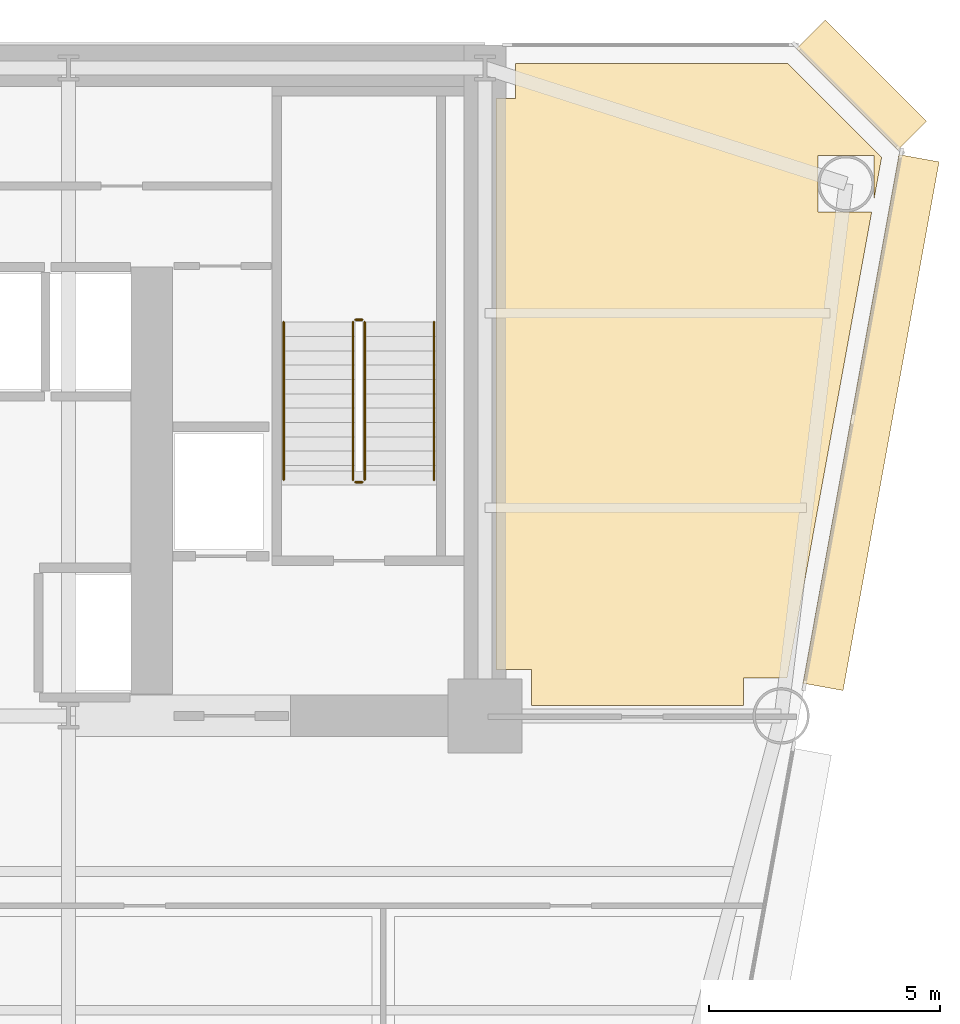
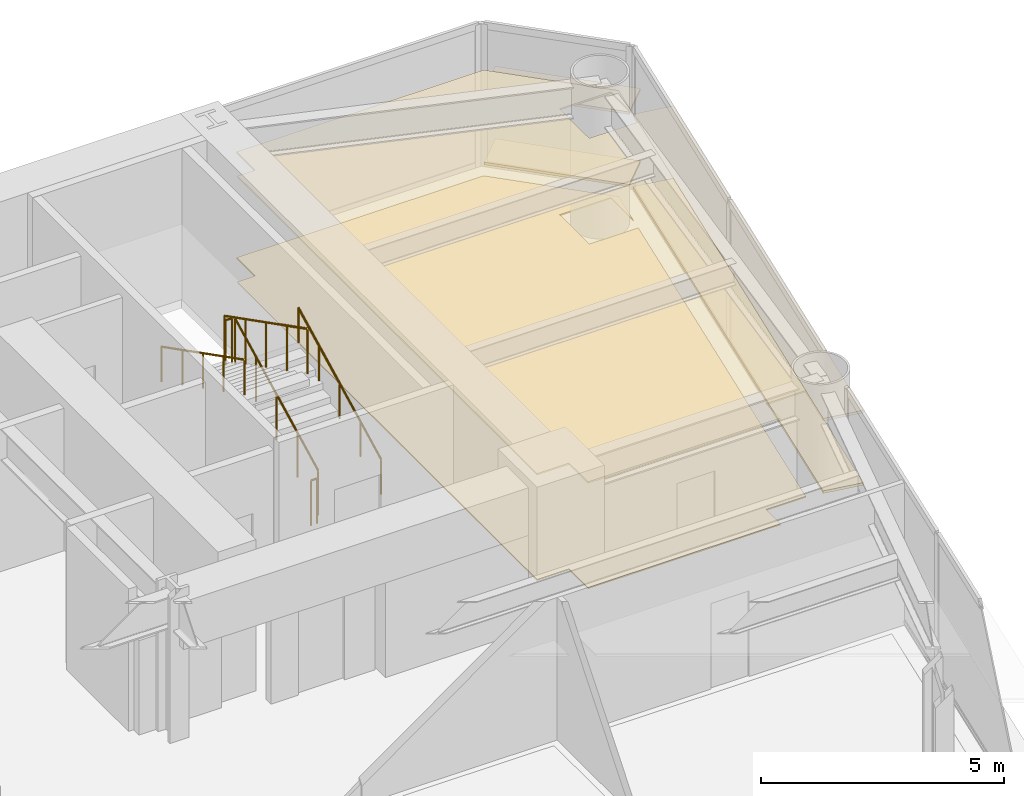
# One storey, part 14 of 14: 6 coverings, 6 railings.
"""IFC4 building model written with IfcOpenShell, lengths in metres."""

from ifc_helpers import new_model, si_unit, direction, frame, origin, origin_2d, place, context, subcontext, project, spatial, polyline, rectangle, circle, outline, extrude, source, transform, mapped, material, layer, layer_set, type_object, element, save


model = new_model("IFC4")

# Units and contexts
model_context = context("Model", 3, precision=1e-05, world=origin(), true_north=direction((0.0, 1.0)))
body_context = subcontext(model_context, "Body", "Model", "MODEL_VIEW")
ifc_project = project(units=[si_unit("LENGTHUNIT", "METRE"), si_unit("AREAUNIT", "SQUARE_METRE"), si_unit("VOLUMEUNIT", "CUBIC_METRE"), si_unit("PLANEANGLEUNIT", "RADIAN"), si_unit("MASSUNIT", "GRAM", prefix="KILO")], contexts=[model_context])

# Site, building, storey
site_placement = place(None, origin())
site = spatial("IfcSite", under=ifc_project, at=site_placement, CompositionType="ELEMENT")
building_placement = place(site_placement, origin())
building = spatial("IfcBuilding", under=site, at=building_placement, Name="Vaeldorn Concourse Tower", CompositionType="ELEMENT")
storey_placement = place(building_placement, frame((0.0, 0.0, 30.199951171875)))
storey = spatial("IfcBuildingStorey", under=building, at=storey_placement, Name="L07", CompositionType="ELEMENT", Elevation=30.199951171875)

# Coverings
ifc_material_1 = material(Name="Acoustic Mineral Fibre Board", Category="gypsum")
ifc_layer_1 = layer(ifc_material_1, 0.0400390625)
ifc_layer_set_1 = layer_set([ifc_layer_1], Name="Acoustic Mineral Fibre Board")
covering_type_1 = type_object("IfcCoveringType", Name="COV-CEIL-ACOUSTIC", PredefinedType="CEILING", material=ifc_layer_set_1)
covering_1_placement = place(storey_placement, frame((0.0, 0.0, 2.650146484375)))
element("IfcCovering", 1, at=covering_1_placement, inside=storey, type_object=covering_type_1, Name="Suspended Acoustic Ceiling L07-4", PredefinedType="CEILING", context=body_context, shape_type="SweptSolid", body=[
    extrude(outline(polyline([(54.659912109375, 49.840087890625), (54.659912109375, 50.60009765625), (60.5341796875, 50.60009765625), (62.56884765625, 48.565185546875), (62.409423828125, 47.687255859375), (62.409423828125, 48.609619140625), (61.1904296875, 48.609619140625), (61.1904296875, 47.390380859375), (62.355712890625, 47.390380859375), (60.526611328125, 37.320068359375), (59.580078125, 37.320068359375), (59.580078125, 36.719970703125), (55.0, 36.719970703125), (55.0, 37.5), (54.239990234375, 37.5), (54.239990234375, 49.840087890625), (54.659912109375, 49.840087890625)])), origin(), (0.0, 0.0, 1.0), 0.039794921875),
])
ifc_material_2 = material(Name="Honed Limestone Terrazzo Flooring", Category="masonry")
ifc_layer_2 = layer(ifc_material_2, 0.0400390625)
ifc_layer_set_2 = layer_set([ifc_layer_2], Name="Honed Limestone Terrazzo Flooring")
covering_type_2 = type_object("IfcCoveringType", Name="COV-FLOOR-STONE", PredefinedType="FLOORING", material=ifc_layer_set_2)
covering_2_placement = place(storey_placement, origin())
element("IfcCovering", 2, at=covering_2_placement, inside=storey, type_object=covering_type_2, Name="Floor Finish Covering L07-4", PredefinedType="FLOORING", context=body_context, shape_type="SweptSolid", body=[
    extrude(outline(polyline([(54.659912109375, 49.840087890625), (54.659912109375, 50.60009765625), (60.5341796875, 50.60009765625), (62.56884765625, 48.565185546875), (62.409423828125, 47.687255859375), (62.409423828125, 48.609619140625), (61.1904296875, 48.609619140625), (61.1904296875, 47.390380859375), (62.355712890625, 47.390380859375), (60.526611328125, 37.320068359375), (59.580078125, 37.320068359375), (59.580078125, 36.719970703125), (55.0, 36.719970703125), (55.0, 37.5), (54.239990234375, 37.5), (54.239990234375, 49.840087890625), (54.659912109375, 49.840087890625)])), origin(), (0.0, 0.0, 1.0), 0.030029296875),
])

# Railings
ifc_material_3 = material(Name="Anodised Bronze Aluminium", Category="aluminium")
railing_type_1 = type_object("IfcRailingType", Name="RL-STAIR-GUARD", PredefinedType="GUARDRAIL", material=ifc_material_3)
railing_1_placement = place(storey_placement, frame((51.39990234375, 41.60009765625, 0.158447265625)))
element("IfcRailing", 3, at=railing_1_placement, inside=storey, type_object=railing_type_1, Name="L07 ST-2 stair guard 1", PredefinedType="GUARDRAIL", context=body_context, shape_type="SweptSolid", body=[
    extrude(circle(Radius=0.02392578125, at=origin_2d()), frame((0.0, 0.0, 1.1259765625), z_axis=(0.0, 0.890555807335, 0.454873997962), x_axis=(-1.0, 0.0, 0.0)), (0.0, 0.0, 1.0), 3.828857421875),
    extrude(circle(Radius=0.02099609375, at=origin_2d()), origin(), (0.0, 0.0, 1.0), 1.101806640625),
    extrude(circle(Radius=0.02099609375, at=origin_2d()), frame((0.0, 0.8525390625, 0.435546875)), (0.0, 0.0, 1.0), 1.101806640625),
    extrude(circle(Radius=0.02099609375, at=origin_2d()), frame((0.0, 1.705078125, 0.870849609375)), (0.0, 0.0, 1.0), 1.101806640625),
    extrude(circle(Radius=0.02099609375, at=origin_2d()), frame((0.0, 2.557373046875, 1.30615234375)), (0.0, 0.0, 1.0), 1.101806640625),
    extrude(circle(Radius=0.02099609375, at=origin_2d()), frame((0.0, 3.409912109375, 1.74169921875)), (0.0, 0.0, 1.0), 1.101806640625),
])
railing_2_placement = place(storey_placement, frame((51.35009765625, 45.06005859375, 1.900146484375)))
element("IfcRailing", 4, at=railing_2_placement, inside=storey, type_object=railing_type_1, Name="L07 ST-2 stair guard 2", PredefinedType="GUARDRAIL", context=body_context, shape_type="SweptSolid", body=[
    extrude(circle(Radius=0.02392578125, at=origin_2d()), frame((0.0, 0.0, 1.1259765625), z_axis=(-1.0, 0.0, 0.0), x_axis=(0.0, -1.0, 0.0)), (0.0, 0.0, 1.0), 0.150146484375),
    extrude(circle(Radius=0.02099609375, at=origin_2d()), origin(), (0.0, 0.0, 1.0), 1.101806640625),
    extrude(circle(Radius=0.02099609375, at=origin_2d()), frame((-0.150146484375, 0.0, 0.0)), (0.0, 0.0, 1.0), 1.101806640625),
])
railing_3_placement = place(storey_placement, frame((51.14990234375, 45.010009765625, 2.058349609375)))
element("IfcRailing", 5, at=railing_3_placement, inside=storey, type_object=railing_type_1, Name="L07 ST-2 stair guard 3", PredefinedType="GUARDRAIL", context=body_context, shape_type="SweptSolid", body=[
    extrude(circle(Radius=0.02392578125, at=origin_2d()), frame((0.0, 0.0, 1.1259765625), z_axis=(0.0, -0.890555807335, 0.454873997962), x_axis=(1.0, 0.0, 0.0)), (0.0, 0.0, 1.0), 3.828857421875),
    extrude(circle(Radius=0.02099609375, at=origin_2d()), origin(), (0.0, 0.0, 1.0), 1.101806640625),
    extrude(circle(Radius=0.02099609375, at=origin_2d()), frame((0.0, -0.8525390625, 0.435546875)), (0.0, 0.0, 1.0), 1.101806640625),
    extrude(circle(Radius=0.02099609375, at=origin_2d()), frame((0.0, -1.705078125, 0.870849609375)), (0.0, 0.0, 1.0), 1.101806640625),
    extrude(circle(Radius=0.02099609375, at=origin_2d()), frame((0.0, -2.557373046875, 1.30615234375)), (0.0, 0.0, 1.0), 1.101806640625),
    extrude(circle(Radius=0.02099609375, at=origin_2d()), frame((0.0, -3.409912109375, 1.74169921875)), (0.0, 0.0, 1.0), 1.101806640625),
])
railing_4_placement = place(storey_placement, frame((51.35009765625, 41.550048828125, 0.0)))
element("IfcRailing", 6, at=railing_4_placement, inside=storey, type_object=railing_type_1, Name="L07 ST-2 stair guard 4", PredefinedType="GUARDRAIL", context=body_context, shape_type="SweptSolid", body=[
    extrude(circle(Radius=0.02392578125, at=origin_2d()), frame((0.0, 0.0, 1.1259765625), z_axis=(-1.0, 0.0, 0.0), x_axis=(0.0, -1.0, 0.0)), (0.0, 0.0, 1.0), 0.150146484375),
    extrude(circle(Radius=0.02099609375, at=origin_2d()), origin(), (0.0, 0.0, 1.0), 1.101806640625),
    extrude(circle(Radius=0.02099609375, at=origin_2d()), frame((-0.150146484375, 0.0, 0.0)), (0.0, 0.0, 1.0), 1.101806640625),
])
railing_type_2 = type_object("IfcRailingType", Name="RL-STAIR-HANDRAIL", PredefinedType="HANDRAIL", material=ifc_material_3)
railing_5_placement = place(storey_placement, frame((52.89990234375, 41.60009765625, 0.158447265625)))
element("IfcRailing", 7, at=railing_5_placement, inside=storey, type_object=railing_type_2, Name="L07 ST-2 stair handrail 1", PredefinedType="HANDRAIL", context=body_context, shape_type="SweptSolid", body=[
    extrude(circle(Radius=0.02392578125, at=origin_2d()), frame((0.0, 0.0, 0.8759765625), z_axis=(0.0, 0.890555807335, 0.454873997962), x_axis=(-1.0, 0.0, 0.0)), (0.0, 0.0, 1.0), 3.828857421875),
    extrude(circle(Radius=0.02099609375, at=origin_2d()), origin(), (0.0, 0.0, 1.0), 0.851806640625),
    extrude(circle(Radius=0.02099609375, at=origin_2d()), frame((0.0, 0.8525390625, 0.435546875)), (0.0, 0.0, 1.0), 0.851806640625),
    extrude(circle(Radius=0.02099609375, at=origin_2d()), frame((0.0, 1.705078125, 0.870849609375)), (0.0, 0.0, 1.0), 0.851806640625),
    extrude(circle(Radius=0.02099609375, at=origin_2d()), frame((0.0, 2.557373046875, 1.30615234375)), (0.0, 0.0, 1.0), 0.851806640625),
    extrude(circle(Radius=0.02099609375, at=origin_2d()), frame((0.0, 3.409912109375, 1.74169921875)), (0.0, 0.0, 1.0), 0.851806640625),
])
railing_6_placement = place(storey_placement, frame((49.64990234375, 45.010009765625, 2.058349609375)))
element("IfcRailing", 8, at=railing_6_placement, inside=storey, type_object=railing_type_2, Name="L07 ST-2 stair handrail 2", PredefinedType="HANDRAIL", context=body_context, shape_type="SweptSolid", body=[
    extrude(circle(Radius=0.02392578125, at=origin_2d()), frame((0.0, 0.0, 0.8759765625), z_axis=(0.0, -0.890555807335, 0.454873997962), x_axis=(1.0, 0.0, 0.0)), (0.0, 0.0, 1.0), 3.828857421875),
    extrude(circle(Radius=0.02099609375, at=origin_2d()), origin(), (0.0, 0.0, 1.0), 0.851806640625),
    extrude(circle(Radius=0.02099609375, at=origin_2d()), frame((0.0, -0.8525390625, 0.435546875)), (0.0, 0.0, 1.0), 0.851806640625),
    extrude(circle(Radius=0.02099609375, at=origin_2d()), frame((0.0, -1.705078125, 0.870849609375)), (0.0, 0.0, 1.0), 0.851806640625),
    extrude(circle(Radius=0.02099609375, at=origin_2d()), frame((0.0, -2.557373046875, 1.30615234375)), (0.0, 0.0, 1.0), 0.851806640625),
    extrude(circle(Radius=0.02099609375, at=origin_2d()), frame((0.0, -3.409912109375, 1.74169921875)), (0.0, 0.0, 1.0), 0.851806640625),
])

# Coverings
ifc_layer_3 = layer(ifc_material_3, 0.06494140625)
ifc_layer_set_3 = layer_set([ifc_layer_3], Name="Anodised Bronze Aluminium")
covering_type_3 = type_object("IfcCoveringType", Name="SD-BRONZE-SUNSHADE", PredefinedType="USERDEFINED", material=ifc_layer_set_3)
shared_shape_1 = source(origin(), body_context, "Body", "SweptSolid", [
    extrude(rectangle(XDim=3.0927734375, YDim=0.8798828125, at=origin_2d()), origin(), (0.0, 0.0, 1.0), 0.06494140625),
])
for number, where, z_axis, x_axis, name in (
    (9, (62.1328125, 50.1328125, 0.047607421875), (0.0, 0.0, 1.0), (-0.707106781187, 0.707106781187, 0.0), "Horizontal Bronze Sunshade L07-E08.1.1"),
    (10, (62.1328125, 50.1328125, 1.86767578125), (0.0, 0.0, 1.0), (-0.707106781187, 0.707106781187, 0.0), "Horizontal Bronze Sunshade L07-E08.1.2"),
):
    element("IfcCovering", number, at=place(storey_placement, frame(where, z_axis=z_axis, x_axis=x_axis)), inside=storey, type_object=covering_type_3, Name=name, ObjectType="SUNSHADE", PredefinedType="USERDEFINED", context=body_context, shape_type="MappedRepresentation", body=[
        mapped(shared_shape_1, transform((0.0, 0.0, 0.0), scale=1.0)),
    ])
shared_shape_2 = source(origin(), body_context, "Body", "SweptSolid", [
    extrude(rectangle(XDim=11.60986328125, YDim=0.8798828125, at=origin_2d()), origin(), (0.0, 0.0, 1.0), 0.06494140625),
])
for number, where, z_axis, x_axis, name in (
    (11, (62.342041015625, 42.83837890625, 0.047607421875), (0.0, 0.0, 1.0), (0.178699181936, 0.983903756663, 0.0), "Horizontal Bronze Sunshade L07-E07.2.1"),
    (12, (62.342041015625, 42.83837890625, 1.86767578125), (0.0, 0.0, 1.0), (0.178699181936, 0.983903756663, 0.0), "Horizontal Bronze Sunshade L07-E07.2.2"),
):
    element("IfcCovering", number, at=place(storey_placement, frame(where, z_axis=z_axis, x_axis=x_axis)), inside=storey, type_object=covering_type_3, Name=name, ObjectType="SUNSHADE", PredefinedType="USERDEFINED", context=body_context, shape_type="MappedRepresentation", body=[
        mapped(shared_shape_2, transform((0.0, 0.0, 0.0), scale=1.0)),
    ])

save(model, "model.ifc")
